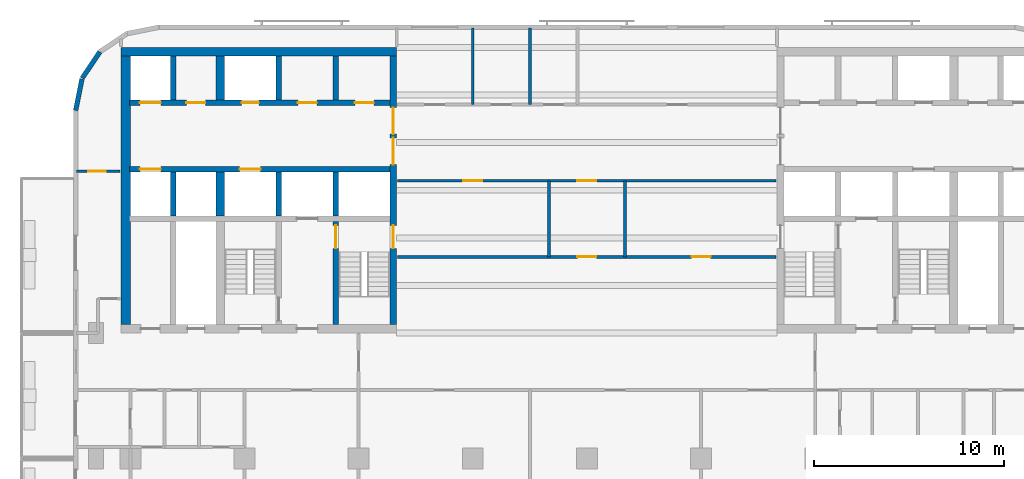
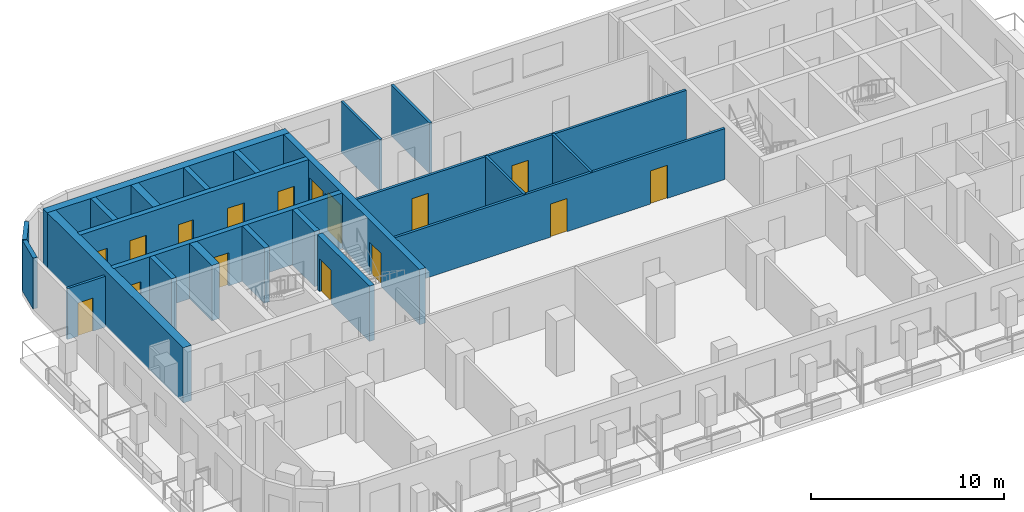
# One storey, part 4 of 11: 23 walls, 16 doors, 16 openings.
"""IFC4 building model written with IfcOpenShell, lengths in metres."""

import ifcopenshell
import ifcopenshell.guid

model = None  # the IFC model being written
_history = None  # IfcOwnerHistory: only IFC2X3 demands one
_inside = {}  # id of a spatial element -> (the spatial element, [elements in it])
_under = {}  # id of a project, library or spatial element -> (it, [spatial elements below it])
_declared = {}  # id of a project -> (the project, [libraries it declares])
_typed = {}  # id of a type object -> (the type object, [elements of that type])
_made_of = {}  # id of a material, layer set ... -> (it, [elements and type objects made of it])


def new_model(schema):
    """Start an empty IFC model of exactly this schema.

    Asked for "IFC4X3", IfcOpenShell would pick the latest addendum, in which some entities
    have other attributes; the version numbers below select the first issue.
    IFC2X3 requires an IfcOwnerHistory on every rooted entity: one is made here for all.
    """
    global model, _history
    if schema == "IFC4X3":
        model = ifcopenshell.file(schema_version=(4, 3, 0, 0))
    else:
        model = ifcopenshell.file(schema=schema)
    _inside.clear()
    _under.clear()
    _declared.clear()
    _typed.clear()
    _made_of.clear()
    _history = None
    if model.schema == "IFC2X3":
        org = make("IfcOrganization", Name="unknown")
        user = make(
            "IfcPersonAndOrganization",
            ThePerson=make("IfcPerson", FamilyName="unknown"),
            TheOrganization=org,
        )
        app = make(
            "IfcApplication",
            ApplicationDeveloper=org,
            Version="unknown",
            ApplicationFullName="unknown",
            ApplicationIdentifier="unknown",
        )
        _history = make(
            "IfcOwnerHistory",
            OwningUser=user,
            OwningApplication=app,
            ChangeAction="ADDED",
            CreationDate=0,
        )
    return model


def make(cls, **values):
    """One entity of the class cls with the attributes given. An attribute that is None is left unset."""
    return model.create_entity(
        cls, **{name: value for name, value in values.items() if value is not None}
    )


def rooted(cls, **values):
    """An entity with a GlobalId (a new one), such as an element, a storey or a relation."""
    return make(cls, GlobalId=ifcopenshell.guid.new(), OwnerHistory=_history, **values)


def si_unit(unit_type, name, prefix=None):
    """IfcSIUnit, for example si_unit("LENGTHUNIT", "METRE", prefix="MILLI")."""
    return make("IfcSIUnit", UnitType=unit_type, Prefix=prefix, Name=name)


def assignment(units):
    """IfcUnitAssignment: the units of a project."""
    return None if units is None else make("IfcUnitAssignment", Units=units)


def point(xyz):
    """IfcCartesianPoint."""
    return None if xyz is None else make("IfcCartesianPoint", Coordinates=xyz)


def direction(xyz):
    """IfcDirection."""
    return None if xyz is None else make("IfcDirection", DirectionRatios=xyz)


def frame(location, z_axis=None, x_axis=None):
    """IfcAxis2Placement3D, a coordinate frame: its origin and axes. An axis left out is left unset."""
    return make(
        "IfcAxis2Placement3D",
        Location=point(location),
        Axis=direction(z_axis),
        RefDirection=direction(x_axis),
    )


def frame_2d(location, x_axis=None):
    """IfcAxis2Placement2D, a coordinate frame in the plane: its origin and x axis."""
    return make(
        "IfcAxis2Placement2D", Location=point(location), RefDirection=direction(x_axis)
    )


def origin():
    """The frame at (0, 0, 0) with its axes left unset."""
    return frame((0.0, 0.0, 0.0))


def place(relative_to, where):
    """IfcLocalPlacement: puts the frame where relative to a parent placement (None: the world)."""
    return make(
        "IfcLocalPlacement", PlacementRelTo=relative_to, RelativePlacement=where
    )


def context(
    kind, dimensions, precision=None, world=None, true_north=None, identifier=None
):
    """IfcGeometricRepresentationContext, for example the 3D "Model" context."""
    return make(
        "IfcGeometricRepresentationContext",
        ContextIdentifier=identifier,
        ContextType=kind,
        CoordinateSpaceDimension=dimensions,
        Precision=precision,
        WorldCoordinateSystem=world,
        TrueNorth=true_north,
    )


def subcontext(parent, identifier, kind, view, scale=None):
    """IfcGeometricRepresentationSubContext, for example "Body" below "Model"."""
    return make(
        "IfcGeometricRepresentationSubContext",
        ContextIdentifier=identifier,
        ContextType=kind,
        ParentContext=parent,
        TargetScale=scale,
        TargetView=view,
    )


def project(units=None, contexts=None):
    """IfcProject with its units and contexts."""
    return rooted(
        "IfcProject",
        Name="project",
        RepresentationContexts=contexts,
        UnitsInContext=assignment(units),
    )


def spatial(cls, under=None, at=None, **own):
    """A site, building, storey or space (cls), placed at a placement, below another one or the project."""
    s = rooted(cls, ObjectPlacement=at, **own)
    if under is not None:
        _under.setdefault(under.id(), (under, []))[1].append(s)
    return s


def profile(cls, at=None, kind="AREA", **sizes):
    """A parametric profile (cls). Its sizes go by their IFC names, for example OverallWidth=200.0."""
    return make(cls, ProfileType=kind, Position=at, **sizes)


def rectangle(**sizes):
    """IfcRectangleProfileDef."""
    return profile("IfcRectangleProfileDef", **sizes)


def extrude(swept, where, along, depth):
    """IfcExtrudedAreaSolid: the profile swept, set in the frame where, extruded along a direction by depth."""
    return make(
        "IfcExtrudedAreaSolid",
        SweptArea=swept,
        Position=where,
        ExtrudedDirection=direction(along),
        Depth=depth,
    )


def shape(context_of_items, identifier, shape_type, items):
    """IfcShapeRepresentation: the items that make up one representation, for example the "Body"."""
    return make(
        "IfcShapeRepresentation",
        ContextOfItems=context_of_items,
        RepresentationIdentifier=identifier,
        RepresentationType=shape_type,
        Items=items,
    )


def material(Name=None, Category=None):
    """IfcMaterial."""
    return make("IfcMaterial", Name=Name, Category=Category)


def layer(
    of_material, thickness, ventilated=None, Name=None, Category=None, Priority=None
):
    """IfcMaterialLayer: one layer of a wall or slab, of a material (None: an air gap)."""
    return make(
        "IfcMaterialLayer",
        Material=of_material,
        LayerThickness=thickness,
        IsVentilated=ventilated,
        Name=Name,
        Category=Category,
        Priority=Priority,
    )


def layer_set(layers, Name=None):
    """IfcMaterialLayerSet."""
    return make("IfcMaterialLayerSet", MaterialLayers=layers, LayerSetName=Name)


def made_of(thing, what):
    """Note that an element or type object is made of a material, layer set ...; save() writes the relation."""
    if what is not None:
        _made_of.setdefault(what.id(), (what, []))[1].append(thing)
    return thing


def type_object(cls, material=None, **own):
    """A type object (cls), such as IfcWallType, which elements share."""
    return made_of(rooted(cls, **own), material)


def element(
    cls,
    number,
    at=None,
    inside=None,
    cuts=None,
    type_object=None,
    material=None,
    context=None,
    identifier="Body",
    shape_type=None,
    held_by="IfcProductDefinitionShape",
    body=None,
    shapes=None,
    **own,
):
    """One element of the class cls, such as IfcWall. Its Tag is "e" and its number.

    at: its placement. inside: the storey or other place that contains it. cuts: it is an
    opening in that element (IfcRelVoidsElement). A single representation is given by context,
    identifier, shape_type and body (its items); several are given by shapes. held_by: the class
    of the entity that holds the representations. save() writes the other relations.
    """
    e = rooted(cls, Tag="e%d" % number, ObjectPlacement=at, **own)
    if body is not None:
        shapes = [shape(context, identifier, shape_type, body)]
    if shapes is not None:
        e.Representation = make(held_by, Representations=shapes)
    if inside is not None:
        _inside.setdefault(inside.id(), (inside, []))[1].append(e)
    if cuts is not None:
        rooted(
            "IfcRelVoidsElement", RelatingBuildingElement=cuts, RelatedOpeningElement=e
        )
    if type_object is not None:
        _typed.setdefault(type_object.id(), (type_object, []))[1].append(e)
    return made_of(e, material)


def fill(opening, filler):
    """IfcRelFillsElement: the door or window that sits in an opening."""
    return rooted(
        "IfcRelFillsElement",
        RelatingOpeningElement=opening,
        RelatedBuildingElement=filler,
    )


def aggregate(whole, parts):
    """IfcRelAggregates: a whole, such as a stair, and the parts it consists of."""
    return rooted("IfcRelAggregates", RelatingObject=whole, RelatedObjects=parts)


def save(model, path):
    """Write the relations noted so far, then the file.

    IfcRelAggregates (storeys below a building ...), IfcRelContainedInSpatialStructure (elements
    in a storey), IfcRelDefinesByType, IfcRelAssociatesMaterial and IfcRelDeclares: one each for
    every whole, place, type object, material and project.
    """
    for whole, parts in _under.values():
        aggregate(whole, parts)
    for where, things in _inside.values():
        rooted(
            "IfcRelContainedInSpatialStructure",
            RelatedElements=things,
            RelatingStructure=where,
        )
    for kind, things in _typed.values():
        rooted("IfcRelDefinesByType", RelatedObjects=things, RelatingType=kind)
    for what, things in _made_of.values():
        rooted("IfcRelAssociatesMaterial", RelatedObjects=things, RelatingMaterial=what)
    for by, libraries in _declared.values():
        rooted("IfcRelDeclares", RelatingContext=by, RelatedDefinitions=libraries)
    model.write(path)


model = new_model("IFC4")

# Units and contexts
model_context = context("Model", 3, precision=1e-05, world=origin(), true_north=direction((0.0, 1.0)))
body_context = subcontext(model_context, "Body", "Model", "MODEL_VIEW")
ifc_project = project(units=[si_unit("LENGTHUNIT", "METRE"), si_unit("AREAUNIT", "SQUARE_METRE"), si_unit("VOLUMEUNIT", "CUBIC_METRE"), si_unit("PLANEANGLEUNIT", "RADIAN"), si_unit("MASSUNIT", "GRAM", prefix="KILO")], contexts=[model_context])

# Site, building, storey
site_placement = place(None, origin())
site = spatial("IfcSite", under=ifc_project, at=site_placement, CompositionType="ELEMENT")
building_placement = place(site_placement, origin())
building = spatial("IfcBuilding", under=site, at=building_placement, Name="Torana Hotel and Residences", CompositionType="ELEMENT")
storey_placement = place(building_placement, frame((0.0, 0.0, 229.10009765625)))
storey = spatial("IfcBuildingStorey", under=building, at=storey_placement, Name="L60", CompositionType="ELEMENT", Elevation=229.10009765625)

# Wall, openings, doors
ifc_material_1 = material(Name="Concrete C70/85", Category="concrete")
ifc_layer_1 = layer(ifc_material_1, 0.300048828125)
ifc_layer_set_1 = layer_set([ifc_layer_1], Name="CORE WALL 300 C70/85")
wall_type_1 = type_object("IfcWallType", Name="CORE WALL 300 C70/85", PredefinedType="SHEAR", material=ifc_layer_set_1)
wall_1_placement = place(storey_placement, frame((-24.050048828125, -2.89990234375, 0.0), z_axis=(0.0, 0.0, 1.0), x_axis=(1.0, 0.0, 0.0)))
wall_1 = element("IfcWall", 1, at=wall_1_placement, inside=storey, type_object=wall_type_1, Name="Core wall W row-N", PredefinedType="SHEAR", context=body_context, shape_type="SweptSolid", body=[
    extrude(rectangle(XDim=13.699951171875, YDim=0.300048828125, at=frame_2d((6.85009765625, 0.0))), origin(), (0.0, 0.0, 1.0), 3.5),
])
opening_1_placement = place(wall_1_placement, frame((0.550048828125, 0.0, 0.0)))
opening_1 = element("IfcOpeningElement", 2, at=opening_1_placement, cuts=wall_1, Name="Opening LD", PredefinedType="OPENING", context=body_context, shape_type="SweptSolid", body=[
    extrude(rectangle(XDim=1.10009765625, YDim=2.10009765625, at=frame_2d((0.550048828125, 1.050048828125))), frame((0.0, 0.159912109375, 0.0), z_axis=(0.0, -1.0, 0.0), x_axis=(1.0, 0.0, 0.0)), (0.0, 0.0, 1.0), 0.320068359375),
])
opening_2_placement = place(wall_1_placement, frame((5.89990234375, 0.0, 0.0)))
opening_2 = element("IfcOpeningElement", 3, at=opening_2_placement, cuts=wall_1, Name="Opening L60-08", PredefinedType="OPENING", context=body_context, shape_type="SweptSolid", body=[
    extrude(rectangle(XDim=0.89990234375, YDim=2.10009765625, at=frame_2d((0.449951171875, 1.050048828125))), frame((0.0, 0.159912109375, 0.0), z_axis=(0.0, -1.0, 0.0), x_axis=(1.0, 0.0, 0.0)), (0.0, 0.0, 1.0), 0.320068359375),
])
opening_3_placement = place(wall_1_placement, frame((11.85009765625, 0.0, 0.0)))
opening_3 = element("IfcOpeningElement", 4, at=opening_3_placement, cuts=wall_1, Name="Opening L60-09", PredefinedType="OPENING", context=body_context, shape_type="SweptSolid", body=[
    extrude(rectangle(XDim=1.0, YDim=2.10009765625, at=frame_2d((0.5, 1.050048828125))), frame((0.0, 0.159912109375, 0.0), z_axis=(0.0, -1.0, 0.0), x_axis=(1.0, 0.0, 0.0)), (0.0, 0.0, 1.0), 0.320068359375),
])
opening_4_placement = place(wall_1_placement, frame((8.85009765625, 0.0, 0.0)))
opening_4 = element("IfcOpeningElement", 5, at=opening_4_placement, cuts=wall_1, Name="Opening L60-10", PredefinedType="OPENING", context=body_context, shape_type="SweptSolid", body=[
    extrude(rectangle(XDim=1.0, YDim=2.10009765625, at=frame_2d((0.5, 1.050048828125))), frame((0.0, 0.159912109375, 0.0), z_axis=(0.0, -1.0, 0.0), x_axis=(1.0, 0.0, 0.0)), (0.0, 0.0, 1.0), 0.320068359375),
])
opening_5_placement = place(wall_1_placement, frame((3.0, 0.0, 0.0)))
opening_5 = element("IfcOpeningElement", 6, at=opening_5_placement, cuts=wall_1, Name="Opening L60-11", PredefinedType="OPENING", context=body_context, shape_type="SweptSolid", body=[
    extrude(rectangle(XDim=1.0, YDim=2.10009765625, at=frame_2d((0.5, 1.050048828125))), frame((0.0, 0.159912109375, 0.0), z_axis=(0.0, -1.0, 0.0), x_axis=(1.0, 0.0, 0.0)), (0.0, 0.0, 1.0), 0.320068359375),
])
ifc_material_2 = material(Name="Steel S235", Category="steel")
door_type_1 = type_object("IfcDoorType", Name="CORE ROOM FIRE DOOR D14 1000x2100", OperationType="SINGLE_SWING_LEFT", PredefinedType="DOOR", material=ifc_material_2)
door_1_placement = place(opening_3_placement, origin())
door_1 = element("IfcDoor", 7, at=door_1_placement, inside=storey, type_object=door_type_1, Name="N0 door L60", OperationType="SINGLE_SWING_RIGHT", OverallHeight=2.10009765625, OverallWidth=1.0, PredefinedType="DOOR", context=body_context, shape_type="SweptSolid", body=[
    extrude(rectangle(XDim=1.0, YDim=2.10009765625, at=frame_2d((0.5, 1.050048828125))), frame((0.0, 0.02490234375, 0.0), z_axis=(0.0, -1.0, 0.0), x_axis=(1.0, 0.0, 0.0)), (0.0, 0.0, 1.0), 0.050048828125),
])
fill(opening_3, door_1)
door_2_placement = place(opening_4_placement, origin())
door_2 = element("IfcDoor", 8, at=door_2_placement, inside=storey, type_object=door_type_1, Name="N1 door L60", OperationType="SINGLE_SWING_RIGHT", OverallHeight=2.10009765625, OverallWidth=1.0, PredefinedType="DOOR", context=body_context, shape_type="SweptSolid", body=[
    extrude(rectangle(XDim=1.0, YDim=2.10009765625, at=frame_2d((0.5, 1.050048828125))), frame((0.0, 0.02490234375, 0.0), z_axis=(0.0, -1.0, 0.0), x_axis=(1.0, 0.0, 0.0)), (0.0, 0.0, 1.0), 0.050048828125),
])
fill(opening_4, door_2)
door_3_placement = place(opening_5_placement, origin())
door_3 = element("IfcDoor", 9, at=door_3_placement, inside=storey, type_object=door_type_1, Name="Freed-S1 door L60", OperationType="SINGLE_SWING_RIGHT", OverallHeight=2.10009765625, OverallWidth=1.0, PredefinedType="DOOR", context=body_context, shape_type="SweptSolid", body=[
    extrude(rectangle(XDim=1.0, YDim=2.10009765625, at=frame_2d((0.5, 1.050048828125))), frame((0.0, 0.02490234375, 0.0), z_axis=(0.0, -1.0, 0.0), x_axis=(1.0, 0.0, 0.0)), (0.0, 0.0, 1.0), 0.050048828125),
])
fill(opening_5, door_3)
ifc_material_3 = material(Name="Stainless steel 316", Category="steel")
door_type_2 = type_object("IfcDoorType", Name="LIFT LANDING DOOR LD 1100x2100", OperationType="DOUBLE_DOOR_SLIDING", PredefinedType="USERDEFINED", material=ifc_material_3)
door_4_placement = place(opening_1_placement, origin())
door_4 = element("IfcDoor", 10, at=door_4_placement, inside=storey, type_object=door_type_2, Name="Lift landing door M1 L60", ObjectType="LIFT LANDING DOOR", OperationType="DOUBLE_DOOR_SLIDING", OverallHeight=2.10009765625, OverallWidth=1.10009765625, PredefinedType="USERDEFINED", context=body_context, shape_type="SweptSolid", body=[
    extrude(rectangle(XDim=1.10009765625, YDim=2.10009765625, at=frame_2d((0.550048828125, 1.050048828125))), frame((0.0, 0.02490234375, 0.0), z_axis=(0.0, -1.0, 0.0), x_axis=(1.0, 0.0, 0.0)), (0.0, 0.0, 1.0), 0.050048828125),
])
fill(opening_1, door_4)
ifc_material_4 = material(Name="Steel S235", Category="steel")
door_type_3 = type_object("IfcDoorType", Name="RISER ACCESS DOOR D5 900x2100", OperationType="SINGLE_SWING_LEFT", PredefinedType="DOOR", material=ifc_material_4)
door_5_placement = place(opening_2_placement, origin())
door_5 = element("IfcDoor", 11, at=door_5_placement, inside=storey, type_object=door_type_3, Name="N2 door L60", OperationType="SINGLE_SWING_RIGHT", OverallHeight=2.10009765625, OverallWidth=0.89990234375, PredefinedType="DOOR", context=body_context, shape_type="SweptSolid", body=[
    extrude(rectangle(XDim=0.89990234375, YDim=2.10009765625, at=frame_2d((0.449951171875, 1.050048828125))), frame((0.0, 0.02490234375, 0.0), z_axis=(0.0, -1.0, 0.0), x_axis=(1.0, 0.0, 0.0)), (0.0, 0.0, 1.0), 0.050048828125),
])
fill(opening_2, door_5)

wall_2_placement = place(storey_placement, frame((-24.050048828125, -6.39990234375, 0.0), z_axis=(0.0, 0.0, 1.0), x_axis=(1.0, 0.0, 0.0)))
wall_2 = element("IfcWall", 12, at=wall_2_placement, inside=storey, type_object=wall_type_1, Name="Core wall W row-S", PredefinedType="SHEAR", context=body_context, shape_type="SweptSolid", body=[
    extrude(rectangle(XDim=13.699951171875, YDim=0.300048828125, at=frame_2d((6.85009765625, 0.0))), origin(), (0.0, 0.0, 1.0), 3.5),
])
opening_6_placement = place(wall_2_placement, frame((0.550048828125, 0.0, 0.0)))
opening_6 = element("IfcOpeningElement", 13, at=opening_6_placement, cuts=wall_2, Name="Opening LD", PredefinedType="OPENING", context=body_context, shape_type="SweptSolid", body=[
    extrude(rectangle(XDim=1.10009765625, YDim=2.10009765625, at=frame_2d((0.550048828125, 1.050048828125))), frame((0.0, 0.159912109375, 0.0), z_axis=(0.0, -1.0, 0.0), x_axis=(1.0, 0.0, 0.0)), (0.0, 0.0, 1.0), 0.320068359375),
])
opening_7_placement = place(wall_2_placement, frame((5.800048828125, 0.0, 0.0)))
opening_7 = element("IfcOpeningElement", 14, at=opening_7_placement, cuts=wall_2, Name="Opening LD", PredefinedType="OPENING", context=body_context, shape_type="SweptSolid", body=[
    extrude(rectangle(XDim=1.10009765625, YDim=2.10009765625, at=frame_2d((0.550048828125, 1.050048828125))), frame((0.0, 0.159912109375, 0.0), z_axis=(0.0, -1.0, 0.0), x_axis=(1.0, 0.0, 0.0)), (0.0, 0.0, 1.0), 0.320068359375),
])
door_6_placement = place(opening_6_placement, origin())
door_6 = element("IfcDoor", 15, at=door_6_placement, inside=storey, type_object=door_type_2, Name="Lift landing door M2 L60", ObjectType="LIFT LANDING DOOR", OperationType="DOUBLE_DOOR_SLIDING", OverallHeight=2.10009765625, OverallWidth=1.10009765625, PredefinedType="USERDEFINED", context=body_context, shape_type="SweptSolid", body=[
    extrude(rectangle(XDim=1.10009765625, YDim=2.10009765625, at=frame_2d((0.550048828125, 1.050048828125))), frame((0.0, 0.02490234375, 0.0), z_axis=(0.0, -1.0, 0.0), x_axis=(1.0, 0.0, 0.0)), (0.0, 0.0, 1.0), 0.050048828125),
])
fill(opening_6, door_6)
door_7_placement = place(opening_7_placement, origin())
door_7 = element("IfcDoor", 16, at=door_7_placement, inside=storey, type_object=door_type_2, Name="Lift landing door SV1 L60", ObjectType="LIFT LANDING DOOR", OperationType="DOUBLE_DOOR_SLIDING", OverallHeight=2.10009765625, OverallWidth=1.10009765625, PredefinedType="USERDEFINED", context=body_context, shape_type="SweptSolid", body=[
    extrude(rectangle(XDim=1.10009765625, YDim=2.10009765625, at=frame_2d((0.550048828125, 1.050048828125))), frame((0.0, 0.02490234375, 0.0), z_axis=(0.0, -1.0, 0.0), x_axis=(1.0, 0.0, 0.0)), (0.0, 0.0, 1.0), 0.050048828125),
])
fill(opening_7, door_7)

# Walls
for number, where, z_axis, x_axis, name in (
    (17, (-13.199951171875, -2.75, 0.0), (0.0, 0.0, 1.0), (0.0, 1.0, 0.0), "Core wall W x3.05-N"),
    (18, (-13.199951171875, -8.85009765625, 0.0), (0.0, 0.0, 1.0), (0.0, 1.0, 0.0), "Core wall W x3.05-S"),
):
    element("IfcWall", number, at=place(storey_placement, frame(where, z_axis=z_axis, x_axis=x_axis)), inside=storey, type_object=wall_type_1, Name=name, PredefinedType="SHEAR", context=body_context, shape_type="SweptSolid", body=[
        extrude(rectangle(XDim=2.300048828125, YDim=0.300048828125, at=frame_2d((1.14990234375, 0.0))), origin(), (0.0, 0.0, 1.0), 3.5),
    ])

# Wall, opening, door
wall_3_placement = place(storey_placement, frame((-13.199951171875, -14.550048828125, 0.0), z_axis=(0.0, 0.0, 1.0), x_axis=(0.0, 1.0, 0.0)))
wall_3 = element("IfcWall", 19, at=wall_3_placement, inside=storey, type_object=wall_type_1, Name="Core wall W x3.05-band", PredefinedType="SHEAR", context=body_context, shape_type="SweptSolid", body=[
    extrude(rectangle(XDim=5.400146484375, YDim=0.300048828125, at=frame_2d((2.7001953125, 0.0))), origin(), (0.0, 0.0, 1.0), 3.5),
])
opening_8_placement = place(wall_3_placement, frame((4.0, 0.0, 0.0)))
opening_8 = element("IfcOpeningElement", 20, at=opening_8_placement, cuts=wall_3, Name="Opening L60-12", PredefinedType="OPENING", context=body_context, shape_type="SweptSolid", body=[
    extrude(rectangle(XDim=1.199951171875, YDim=2.10009765625, at=frame_2d((0.60009765625, 1.050048828125))), frame((0.0, 0.159912109375, 0.0), z_axis=(0.0, -1.0, 0.0), x_axis=(1.0, 0.0, 0.0)), (0.0, 0.0, 1.0), 0.320068359375),
])
ifc_material_5 = material(Name="Steel S235", Category="steel")
door_type_4 = type_object("IfcDoorType", Name="STAIR FIRE DOOR D3 1200x2100", OperationType="SINGLE_SWING_LEFT", PredefinedType="DOOR", material=ifc_material_5)
door_8_placement = place(opening_8_placement, frame((0.60009765625, 0.0, 0.0), z_axis=(0.0, 0.0, 1.0), x_axis=(-1.0, 0.0, 0.0)))
door_8 = element("IfcDoor", 21, at=door_8_placement, inside=storey, type_object=door_type_4, Name="Stair-A-lobby door L60", OperationType="SINGLE_SWING_RIGHT", OverallHeight=2.10009765625, OverallWidth=1.199951171875, PredefinedType="DOOR", context=body_context, shape_type="SweptSolid", body=[
    extrude(rectangle(XDim=1.199951171875, YDim=2.10009765625, at=frame_2d((0.0, 1.050048828125))), frame((0.0, -0.02490234375, 0.0), z_axis=(0.0, 1.0, 0.0), x_axis=(-1.0, 0.0, 0.0)), (0.0, 0.0, 1.0), 0.050048828125),
])
fill(opening_8, door_8)

# Walls
for number, where, z_axis, x_axis, name in (
    (22, (-16.199951171875, -2.75, 0.0), (0.0, 0.0, 1.0), (0.0, 1.0, 0.0), "Core wall W x6.05-N"),
    (23, (-16.199951171875, -8.85009765625, 0.0), (0.0, 0.0, 1.0), (0.0, 1.0, 0.0), "Core wall W x6.05-S"),
    (24, (-21.75, -2.75, 0.0), (0.0, 0.0, 1.0), (0.0, 1.0, 0.0), "Core wall W mm-N"),
    (25, (-21.75, -8.85009765625, 0.0), (0.0, 0.0, 1.0), (0.0, 1.0, 0.0), "Core wall W mm-S"),
):
    element("IfcWall", number, at=place(storey_placement, frame(where, z_axis=z_axis, x_axis=x_axis)), inside=storey, type_object=wall_type_1, Name=name, PredefinedType="SHEAR", context=body_context, shape_type="SweptSolid", body=[
        extrude(rectangle(XDim=2.300048828125, YDim=0.300048828125, at=frame_2d((1.14990234375, 0.0))), origin(), (0.0, 0.0, 1.0), 3.5),
    ])

# Wall, openings, doors
ifc_material_6 = material(Name="Concrete C70/85", Category="concrete")
ifc_layer_2 = layer(ifc_material_6, 0.35009765625)
ifc_layer_set_2 = layer_set([ifc_layer_2], Name="CORE WALL 350 C70/85")
wall_type_2 = type_object("IfcWallType", Name="CORE WALL 350 C70/85", PredefinedType="SHEAR", material=ifc_layer_set_2)
wall_4_placement = place(storey_placement, frame((-10.175048828125, -14.550048828125, 0.0), z_axis=(0.0, 0.0, 1.0), x_axis=(0.0, 1.0, 0.0)))
wall_4 = element("IfcWall", 26, at=wall_4_placement, inside=storey, type_object=wall_type_2, Name="Core wall W arch", PredefinedType="SHEAR", context=body_context, shape_type="SweptSolid", body=[
    extrude(rectangle(XDim=14.10009765625, YDim=0.35009765625, at=frame_2d((7.050048828125, 0.0))), origin(), (0.0, 0.0, 1.0), 3.5),
])
opening_9_placement = place(wall_4_placement, frame((8.39990234375, 0.0, 0.0)))
opening_9 = element("IfcOpeningElement", 27, at=opening_9_placement, cuts=wall_4, Name="Opening L60-01", PredefinedType="OPENING", context=body_context, shape_type="SweptSolid", body=[
    extrude(rectangle(XDim=1.39990234375, YDim=2.39990234375, at=frame_2d((0.699951171875, 1.199951171875))), frame((0.0, 0.18505859375, 0.0), z_axis=(0.0, -1.0, 0.0), x_axis=(1.0, 0.0, 0.0)), (0.0, 0.0, 1.0), 0.3701171875),
])
opening_10_placement = place(wall_4_placement, frame((10.0, 0.0, 0.0)))
opening_10 = element("IfcOpeningElement", 28, at=opening_10_placement, cuts=wall_4, Name="Opening L60-02", PredefinedType="OPENING", context=body_context, shape_type="SweptSolid", body=[
    extrude(rectangle(XDim=1.39990234375, YDim=2.39990234375, at=frame_2d((0.699951171875, 1.199951171875))), frame((0.0, 0.18505859375, 0.0), z_axis=(0.0, -1.0, 0.0), x_axis=(1.0, 0.0, 0.0)), (0.0, 0.0, 1.0), 0.3701171875),
])
opening_11_placement = place(wall_4_placement, frame((4.0, 0.0, 0.0)))
opening_11 = element("IfcOpeningElement", 29, at=opening_11_placement, cuts=wall_4, Name="Opening L60-03", PredefinedType="OPENING", context=body_context, shape_type="SweptSolid", body=[
    extrude(rectangle(XDim=1.199951171875, YDim=2.10009765625, at=frame_2d((0.60009765625, 1.050048828125))), frame((0.0, 0.18505859375, 0.0), z_axis=(0.0, -1.0, 0.0), x_axis=(1.0, 0.0, 0.0)), (0.0, 0.0, 1.0), 0.3701171875),
])
ifc_material_7 = material(Name="Steel S235", Category="steel")
door_type_5 = type_object("IfcDoorType", Name="LOBBY FIRE DOOR D4 1400x2400", OperationType="DOUBLE_DOOR_SINGLE_SWING", PredefinedType="DOOR", material=ifc_material_7)
door_9_placement = place(opening_9_placement, origin())
door_9 = element("IfcDoor", 30, at=door_9_placement, inside=storey, type_object=door_type_5, Name="Lobby-1 door L60", OperationType="DOUBLE_DOOR_SINGLE_SWING", OverallHeight=2.39990234375, OverallWidth=1.39990234375, PredefinedType="DOOR", context=body_context, shape_type="SweptSolid", body=[
    extrude(rectangle(XDim=1.39990234375, YDim=2.39990234375, at=frame_2d((0.699951171875, 1.199951171875))), frame((0.0, 0.02490234375, 0.0), z_axis=(0.0, -1.0, 0.0), x_axis=(1.0, 0.0, 0.0)), (0.0, 0.0, 1.0), 0.050048828125),
])
fill(opening_9, door_9)
door_10_placement = place(opening_10_placement, origin())
door_10 = element("IfcDoor", 31, at=door_10_placement, inside=storey, type_object=door_type_5, Name="Lobby-2 door L60", OperationType="DOUBLE_DOOR_SINGLE_SWING", OverallHeight=2.39990234375, OverallWidth=1.39990234375, PredefinedType="DOOR", context=body_context, shape_type="SweptSolid", body=[
    extrude(rectangle(XDim=1.39990234375, YDim=2.39990234375, at=frame_2d((0.699951171875, 1.199951171875))), frame((0.0, 0.02490234375, 0.0), z_axis=(0.0, -1.0, 0.0), x_axis=(1.0, 0.0, 0.0)), (0.0, 0.0, 1.0), 0.050048828125),
])
fill(opening_10, door_10)
door_11_placement = place(opening_11_placement, origin())
door_11 = element("IfcDoor", 32, at=door_11_placement, inside=storey, type_object=door_type_4, Name="Stair-A door L60", OperationType="SINGLE_SWING_LEFT", OverallHeight=2.10009765625, OverallWidth=1.199951171875, PredefinedType="DOOR", context=body_context, shape_type="SweptSolid", body=[
    extrude(rectangle(XDim=1.199951171875, YDim=2.10009765625, at=frame_2d((0.60009765625, 1.050048828125))), frame((0.0, 0.02490234375, 0.0), z_axis=(0.0, -1.0, 0.0), x_axis=(1.0, 0.0, 0.0)), (0.0, 0.0, 1.0), 0.050048828125),
])
fill(opening_11, door_11)

# Walls
ifc_material_8 = material(Name="Concrete C70/85", Category="concrete")
ifc_layer_3 = layer(ifc_material_8, 0.449951171875)
ifc_layer_set_3 = layer_set([ifc_layer_3], Name="CORE WALL 450 C70/85")
wall_type_3 = type_object("IfcWallType", Name="CORE WALL 450 C70/85", PredefinedType="SHEAR", material=ifc_layer_set_3)
wall_5_placement = place(storey_placement, frame((-24.5, -0.22509765625, 0.0), z_axis=(0.0, 0.0, 1.0), x_axis=(1.0, 0.0, 0.0)))
element("IfcWall", 33, at=wall_5_placement, inside=storey, type_object=wall_type_3, Name="Core wall W rear", PredefinedType="SHEAR", context=body_context, shape_type="SweptSolid", body=[
    extrude(rectangle(XDim=14.5, YDim=0.449951171875, at=frame_2d((7.25, 0.0))), origin(), (0.0, 0.0, 1.0), 3.5),
])
for number, where, z_axis, x_axis, name in (
    (34, (-19.27490234375, -2.75, 0.0), (0.0, 0.0, 1.0), (0.0, 1.0, 0.0), "Core wall W hm-N"),
    (35, (-19.27490234375, -8.85009765625, 0.0), (0.0, 0.0, 1.0), (0.0, 1.0, 0.0), "Core wall W hm-S"),
):
    element("IfcWall", number, at=place(storey_placement, frame(where, z_axis=z_axis, x_axis=x_axis)), inside=storey, type_object=wall_type_3, Name=name, PredefinedType="SHEAR", context=body_context, shape_type="SweptSolid", body=[
        extrude(rectangle(XDim=2.300048828125, YDim=0.449951171875, at=frame_2d((1.14990234375, 0.0))), origin(), (0.0, 0.0, 1.0), 3.5),
    ])
ifc_material_9 = material(Name="Concrete C70/85", Category="concrete")
ifc_layer_4 = layer(ifc_material_9, 0.5)
ifc_layer_set_4 = layer_set([ifc_layer_4], Name="CORE WALL 500 C70/85")
wall_type_4 = type_object("IfcWallType", Name="CORE WALL 500 C70/85", PredefinedType="SHEAR", material=ifc_layer_set_4)
wall_6_placement = place(storey_placement, frame((-24.25, -14.550048828125, 0.0), z_axis=(0.0, 0.0, 1.0), x_axis=(0.0, 1.0, 0.0)))
element("IfcWall", 36, at=wall_6_placement, inside=storey, type_object=wall_type_4, Name="Core wall W outer", PredefinedType="SHEAR", context=body_context, shape_type="SweptSolid", body=[
    extrude(rectangle(XDim=14.10009765625, YDim=0.5, at=frame_2d((7.050048828125, 0.0))), origin(), (0.0, 0.0, 1.0), 3.5),
])
ifc_material_10 = material(Name="Black aluminium composite panel", Category="aluminium")
ifc_layer_5 = layer(ifc_material_10, 0.00390625, Name="Cladding", Category="cladding")
ifc_material_11 = material(Name="Ventilated air cavity")
ifc_layer_6 = layer(ifc_material_11, 0.0400390625, Name="Ventilated cavity", Category="cavity")
ifc_material_12 = material(Name="Mineral wool insulation")
ifc_layer_7 = layer(ifc_material_12, 0.090087890625, Name="Insulation", Category="insulation")
ifc_material_13 = material(Name="Steel S280GD", Category="steel")
ifc_layer_8 = layer(ifc_material_13, 0.092041015625, Name="Steel stud frame", Category="structure")
ifc_material_14 = material(Name="Fire rated plasterboard")
ifc_layer_9 = layer(ifc_material_14, 0.011962890625, Name="Inner board", Category="finish")
ifc_layer_10 = layer(ifc_material_14, 0.011962890625, Name="Second board", Category="finish")
ifc_layer_set_5 = layer_set([ifc_layer_5, ifc_layer_6, ifc_layer_7, ifc_layer_8, ifc_layer_9, ifc_layer_10], Name="EW1 EXTERNAL WALL BLACK METAL CLAD 250")
wall_type_5 = type_object("IfcWallType", Name="EW1 EXTERNAL WALL BLACK METAL CLAD 250", PredefinedType="SOLIDWALL", material=ifc_layer_set_5)
wall_7_placement = place(storey_placement, frame((-25.605712890625, -0.228759765625, 0.0), z_axis=(0.0, 0.0, 1.0), x_axis=(-0.55555029066, -0.831482937015, 0.0)))
element("IfcWall", 37, at=wall_7_placement, inside=storey, type_object=wall_type_5, Name="External wall L60 e0.7", PredefinedType="SOLIDWALL", context=body_context, shape_type="SweptSolid", body=[
    extrude(rectangle(XDim=1.65625, YDim=0.25, at=frame_2d((0.828125, 0.0))), origin(), (0.0, 0.0, 1.0), 3.219970703125),
])
wall_8_placement = place(storey_placement, frame((-26.544677734375, -1.651123046875, 0.0), z_axis=(0.0, 0.0, 1.0), x_axis=(-0.194999110559, -0.980803419081, 0.0)))
element("IfcWall", 38, at=wall_8_placement, inside=storey, type_object=wall_type_5, Name="External wall L60 e0.8", PredefinedType="SOLIDWALL", context=body_context, shape_type="SweptSolid", body=[
    extrude(rectangle(XDim=1.681396484375, YDim=0.25, at=frame_2d((0.8408203125, 0.0))), origin(), (0.0, 0.0, 1.0), 3.219970703125),
])
ifc_material_15 = material(Name="Gypsum plaster")
ifc_layer_11 = layer(ifc_material_15, 0.014892578125, Name="Plaster", Category="finish")
ifc_material_16 = material(Name="Concrete blockwork", Category="masonry")
ifc_layer_12 = layer(ifc_material_16, 0.1201171875, Name="Blockwork", Category="structure")
ifc_layer_13 = layer(ifc_material_15, 0.014892578125, Name="Plaster", Category="finish")
ifc_layer_set_6 = layer_set([ifc_layer_11, ifc_layer_12, ifc_layer_13], Name="FIRE PARTITION 150 BLOCKWORK")
wall_type_6 = type_object("IfcWallType", Name="FIRE PARTITION 150 BLOCKWORK", PredefinedType="PARTITIONING", material=ifc_layer_set_6)
for number, where, z_axis, x_axis, name in (
    (39, (2.0, -11.0, 0.0), (0.0, 0.0, 1.0), (0.0, 1.0, 0.0), "Partition L60"),
    (40, (-2.0, -11.0, 0.0), (0.0, 0.0, 1.0), (0.0, 1.0, 0.0), "Partition L60"),
):
    element("IfcWall", number, at=place(storey_placement, frame(where, z_axis=z_axis, x_axis=x_axis)), inside=storey, type_object=wall_type_6, Name=name, PredefinedType="PARTITIONING", context=body_context, shape_type="SweptSolid", body=[
        extrude(rectangle(XDim=4.0, YDim=0.14990234375, at=frame_2d((2.0, 0.0))), origin(), (0.0, 0.0, 1.0), 3.219970703125),
    ])

# Wall, openings, doors
wall_9_placement = place(storey_placement, frame((-9.949951171875, -11.0, 0.0), z_axis=(0.0, 0.0, 1.0), x_axis=(1.0, 0.0, 0.0)))
wall_9 = element("IfcWall", 41, at=wall_9_placement, inside=storey, type_object=wall_type_6, Name="Partition L60", PredefinedType="PARTITIONING", context=body_context, shape_type="SweptSolid", body=[
    extrude(rectangle(XDim=19.89990234375, YDim=0.14990234375, at=frame_2d((9.949951171875, 0.0))), origin(), (0.0, 0.0, 1.0), 3.219970703125),
])
opening_12_placement = place(wall_9_placement, frame((9.449951171875, 0.0, 0.0)))
opening_12 = element("IfcOpeningElement", 42, at=opening_12_placement, cuts=wall_9, Name="Opening L60-37", PredefinedType="OPENING", context=body_context, shape_type="SweptSolid", body=[
    extrude(rectangle(XDim=1.0, YDim=2.10009765625, at=frame_2d((0.5, 1.050048828125))), frame((0.0, 0.0849609375, 0.0), z_axis=(0.0, -1.0, 0.0), x_axis=(1.0, 0.0, 0.0)), (0.0, 0.0, 1.0), 0.169921875),
])
opening_13_placement = place(wall_9_placement, frame((15.449951171875, 0.0, 0.0)))
opening_13 = element("IfcOpeningElement", 43, at=opening_13_placement, cuts=wall_9, Name="Opening L60-41", PredefinedType="OPENING", context=body_context, shape_type="SweptSolid", body=[
    extrude(rectangle(XDim=1.0, YDim=2.10009765625, at=frame_2d((0.5, 1.050048828125))), frame((0.0, 0.0849609375, 0.0), z_axis=(0.0, -1.0, 0.0), x_axis=(1.0, 0.0, 0.0)), (0.0, 0.0, 1.0), 0.169921875),
])
ifc_material_17 = material(Name="Steel S235", Category="steel")
door_type_6 = type_object("IfcDoorType", Name="ENTRY FIRE DOOR D6 1000x2100", OperationType="SINGLE_SWING_LEFT", PredefinedType="DOOR", material=ifc_material_17)
door_12_placement = place(opening_12_placement, origin())
door_12 = element("IfcDoor", 44, at=door_12_placement, inside=storey, type_object=door_type_6, Name="Door L60", OperationType="SINGLE_SWING_RIGHT", OverallHeight=2.10009765625, OverallWidth=1.0, PredefinedType="DOOR", context=body_context, shape_type="SweptSolid", body=[
    extrude(rectangle(XDim=1.0, YDim=2.10009765625, at=frame_2d((0.5, 1.050048828125))), frame((0.0, 0.02490234375, 0.0), z_axis=(0.0, -1.0, 0.0), x_axis=(1.0, 0.0, 0.0)), (0.0, 0.0, 1.0), 0.050048828125),
])
fill(opening_12, door_12)
door_13_placement = place(opening_13_placement, origin())
door_13 = element("IfcDoor", 45, at=door_13_placement, inside=storey, type_object=door_type_6, Name="Door L60", OperationType="SINGLE_SWING_RIGHT", OverallHeight=2.10009765625, OverallWidth=1.0, PredefinedType="DOOR", context=body_context, shape_type="SweptSolid", body=[
    extrude(rectangle(XDim=1.0, YDim=2.10009765625, at=frame_2d((0.5, 1.050048828125))), frame((0.0, 0.02490234375, 0.0), z_axis=(0.0, -1.0, 0.0), x_axis=(1.0, 0.0, 0.0)), (0.0, 0.0, 1.0), 0.050048828125),
])
fill(opening_13, door_13)

wall_10_placement = place(storey_placement, frame((-9.949951171875, -7.0, 0.0), z_axis=(0.0, 0.0, 1.0), x_axis=(1.0, 0.0, 0.0)))
wall_10 = element("IfcWall", 46, at=wall_10_placement, inside=storey, type_object=wall_type_6, Name="Partition L60", PredefinedType="PARTITIONING", context=body_context, shape_type="SweptSolid", body=[
    extrude(rectangle(XDim=19.89990234375, YDim=0.14990234375, at=frame_2d((9.949951171875, 0.0))), origin(), (0.0, 0.0, 1.0), 3.219970703125),
])
opening_14_placement = place(wall_10_placement, frame((9.449951171875, 0.0, 0.0)))
opening_14 = element("IfcOpeningElement", 47, at=opening_14_placement, cuts=wall_10, Name="Opening L60-42", PredefinedType="OPENING", context=body_context, shape_type="SweptSolid", body=[
    extrude(rectangle(XDim=1.0, YDim=2.10009765625, at=frame_2d((0.5, 1.050048828125))), frame((0.0, 0.0849609375, 0.0), z_axis=(0.0, -1.0, 0.0), x_axis=(1.0, 0.0, 0.0)), (0.0, 0.0, 1.0), 0.169921875),
])
opening_15_placement = place(wall_10_placement, frame((3.449951171875, 0.0, 0.0)))
opening_15 = element("IfcOpeningElement", 48, at=opening_15_placement, cuts=wall_10, Name="Opening L60-43", PredefinedType="OPENING", context=body_context, shape_type="SweptSolid", body=[
    extrude(rectangle(XDim=1.0, YDim=2.10009765625, at=frame_2d((0.5, 1.050048828125))), frame((0.0, 0.0849609375, 0.0), z_axis=(0.0, -1.0, 0.0), x_axis=(1.0, 0.0, 0.0)), (0.0, 0.0, 1.0), 0.169921875),
])
door_14_placement = place(opening_14_placement, origin())
door_14 = element("IfcDoor", 49, at=door_14_placement, inside=storey, type_object=door_type_6, Name="Door L60", OperationType="SINGLE_SWING_RIGHT", OverallHeight=2.10009765625, OverallWidth=1.0, PredefinedType="DOOR", context=body_context, shape_type="SweptSolid", body=[
    extrude(rectangle(XDim=1.0, YDim=2.10009765625, at=frame_2d((0.5, 1.050048828125))), frame((0.0, 0.02490234375, 0.0), z_axis=(0.0, -1.0, 0.0), x_axis=(1.0, 0.0, 0.0)), (0.0, 0.0, 1.0), 0.050048828125),
])
fill(opening_14, door_14)
door_15_placement = place(opening_15_placement, frame((0.5, 0.0, 0.0), z_axis=(0.0, 0.0, 1.0), x_axis=(-1.0, 0.0, 0.0)))
door_15 = element("IfcDoor", 50, at=door_15_placement, inside=storey, type_object=door_type_6, Name="Door L60", OperationType="SINGLE_SWING_LEFT", OverallHeight=2.10009765625, OverallWidth=1.0, PredefinedType="DOOR", context=body_context, shape_type="SweptSolid", body=[
    extrude(rectangle(XDim=1.0, YDim=2.10009765625, at=frame_2d((0.0, 1.050048828125))), frame((0.0, -0.02490234375, 0.0), z_axis=(0.0, 1.0, 0.0), x_axis=(-1.0, 0.0, 0.0)), (0.0, 0.0, 1.0), 0.050048828125),
])
fill(opening_15, door_15)

# Wall, opening, door
ifc_material_18 = material(Name="Gypsum plasterboard")
ifc_layer_14 = layer(ifc_material_18, 0.012451171875, Name="Plasterboard", Category="finish")
ifc_layer_15 = layer(ifc_material_18, 0.012451171875, Name="Plasterboard", Category="finish")
ifc_layer_16 = layer(ifc_material_13, 0.10009765625, Name="Steel studs with mineral wool", Category="insulation")
ifc_layer_17 = layer(ifc_material_18, 0.012451171875, Name="Plasterboard", Category="finish")
ifc_layer_18 = layer(ifc_material_18, 0.012451171875, Name="Plasterboard", Category="finish")
ifc_layer_set_7 = layer_set([ifc_layer_14, ifc_layer_15, ifc_layer_16, ifc_layer_17, ifc_layer_18], Name="PARTITION 150 PLASTERBOARD")
wall_type_7 = type_object("IfcWallType", Name="PARTITION 150 PLASTERBOARD", PredefinedType="PARTITIONING", material=ifc_layer_set_7)
wall_11_placement = place(storey_placement, frame((-26.820068359375, -6.5, 0.0), z_axis=(0.0, 0.0, 1.0), x_axis=(1.0, 0.0, 0.0)))
wall_11 = element("IfcWall", 51, at=wall_11_placement, inside=storey, type_object=wall_type_7, Name="Partition L60", PredefinedType="PARTITIONING", context=body_context, shape_type="SweptSolid", body=[
    extrude(rectangle(XDim=2.27001953125, YDim=0.14990234375, at=frame_2d((1.135009765625, 0.0))), origin(), (0.0, 0.0, 1.0), 3.219970703125),
])
opening_16_placement = place(wall_11_placement, frame((0.6201171875, 0.0, 0.0)))
opening_16 = element("IfcOpeningElement", 52, at=opening_16_placement, cuts=wall_11, Name="Opening L60-59", PredefinedType="OPENING", context=body_context, shape_type="SweptSolid", body=[
    extrude(rectangle(XDim=0.89990234375, YDim=2.10009765625, at=frame_2d((0.449951171875, 1.050048828125))), frame((0.0, 0.0849609375, 0.0), z_axis=(0.0, -1.0, 0.0), x_axis=(1.0, 0.0, 0.0)), (0.0, 0.0, 1.0), 0.169921875),
])
ifc_material_19 = material(Name="Timber door, oiled ash", Category="wood")
door_type_7 = type_object("IfcDoorType", Name="ROOM DOOR D7 900x2100", OperationType="SINGLE_SWING_LEFT", PredefinedType="DOOR", material=ifc_material_19)
door_16_placement = place(opening_16_placement, origin())
door_16 = element("IfcDoor", 53, at=door_16_placement, inside=storey, type_object=door_type_7, Name="Door L60", OperationType="SINGLE_SWING_RIGHT", OverallHeight=2.10009765625, OverallWidth=0.89990234375, PredefinedType="DOOR", context=body_context, shape_type="SweptSolid", body=[
    extrude(rectangle(XDim=0.89990234375, YDim=2.10009765625, at=frame_2d((0.449951171875, 1.050048828125))), frame((0.0, 0.02490234375, 0.0), z_axis=(0.0, -1.0, 0.0), x_axis=(1.0, 0.0, 0.0)), (0.0, 0.0, 1.0), 0.050048828125),
])
fill(opening_16, door_16)

# Walls
ifc_material_20 = material(Name="Ceramic tile on adhesive")
ifc_layer_19 = layer(ifc_material_20, 0.010009765625, Name="Wall tile", Category="finish")
ifc_material_21 = material(Name="Cement render")
ifc_layer_20 = layer(ifc_material_21, 0.010009765625, Name="Render", Category="finish")
ifc_layer_21 = layer(ifc_material_16, 0.110107421875, Name="Blockwork", Category="structure")
ifc_layer_22 = layer(ifc_material_21, 0.010009765625, Name="Render", Category="finish")
ifc_layer_23 = layer(ifc_material_20, 0.010009765625, Name="Wall tile", Category="finish")
ifc_layer_set_8 = layer_set([ifc_layer_19, ifc_layer_20, ifc_layer_21, ifc_layer_22, ifc_layer_23], Name="WC PARTITION 150")
wall_type_8 = type_object("IfcWallType", Name="WC PARTITION 150", PredefinedType="PLUMBINGWALL", material=ifc_layer_set_8)
for number, where, z_axis, x_axis, name in (
    (54, (-3.0, -3.0, 0.0), (0.0, 0.0, 1.0), (0.0, 1.0, 0.0), "Partition L60"),
    (55, (-6.0, -3.0, 0.0), (0.0, 0.0, 1.0), (0.0, 1.0, 0.0), "Partition L60"),
):
    element("IfcWall", number, at=place(storey_placement, frame(where, z_axis=z_axis, x_axis=x_axis)), inside=storey, type_object=wall_type_8, Name=name, PredefinedType="PLUMBINGWALL", context=body_context, shape_type="SweptSolid", body=[
        extrude(rectangle(XDim=4.02001953125, YDim=0.14990234375, at=frame_2d((2.010009765625, 0.0))), origin(), (0.0, 0.0, 1.0), 3.219970703125),
    ])

save(model, "model.ifc")
